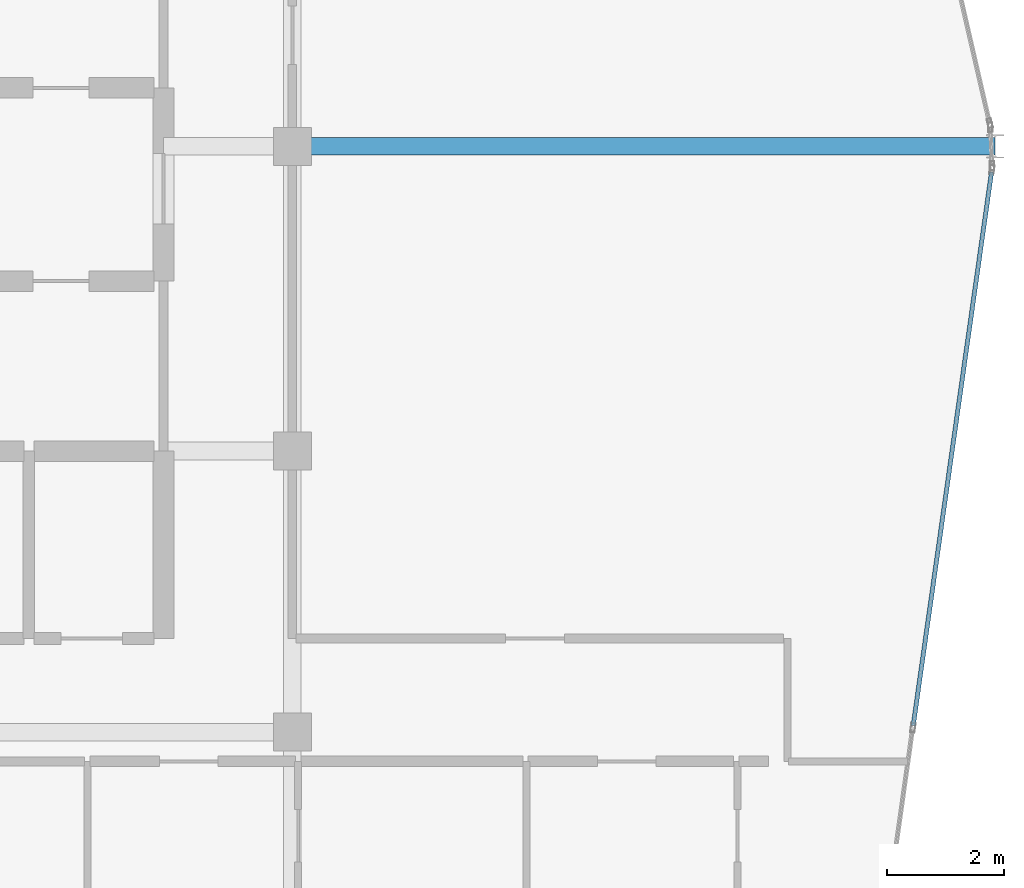
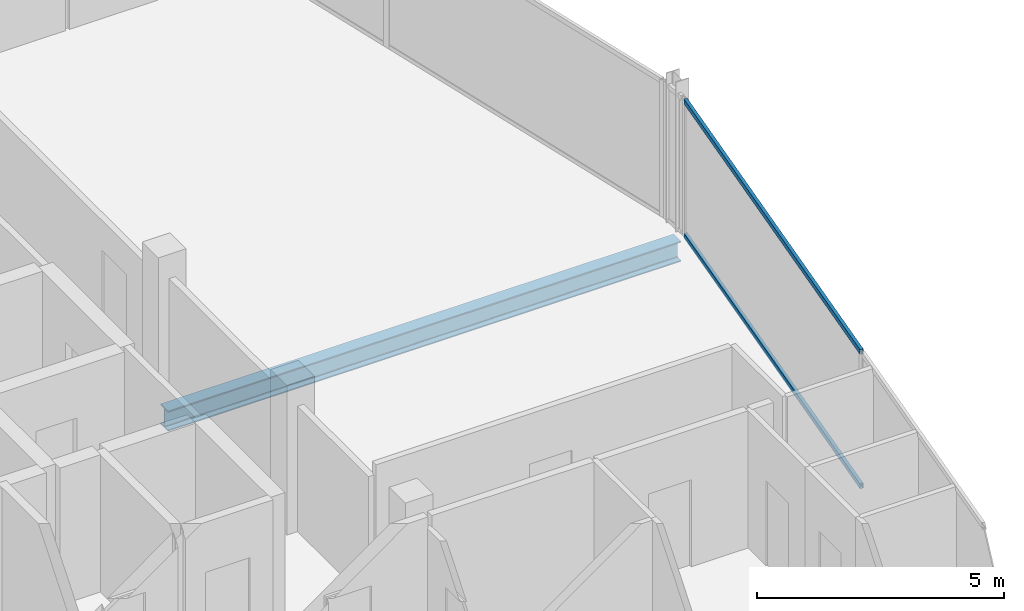
# One storey, part 13 of 27: 2 members, 1 beam, 1 element without a shape of its own.
"""IFC4 building model written with IfcOpenShell, lengths in metres."""

from ifc_helpers import new_model, si_unit, direction, frame, origin, origin_2d, place, context, subcontext, project, spatial, hollow_rectangle, i_section, extrude, material, layer, layer_set, material_profile, profile_set, type_object, element, aggregate, save


model = new_model("IFC4")

# Units and contexts
model_context = context("Model", 3, precision=1e-05, world=origin(), true_north=direction((0.0, 1.0)))
body_context = subcontext(model_context, "Body", "Model", "MODEL_VIEW")
ifc_project = project(units=[si_unit("LENGTHUNIT", "METRE"), si_unit("AREAUNIT", "SQUARE_METRE"), si_unit("VOLUMEUNIT", "CUBIC_METRE"), si_unit("PLANEANGLEUNIT", "RADIAN"), si_unit("MASSUNIT", "GRAM", prefix="KILO")], contexts=[model_context])

# Site, building, storey
site_placement = place(None, origin())
site = spatial("IfcSite", under=ifc_project, at=site_placement, CompositionType="ELEMENT")
building_placement = place(site_placement, origin())
building = spatial("IfcBuilding", under=site, at=building_placement, Name="Keshet Zoharim Tower", CompositionType="ELEMENT")
storey_placement = place(building_placement, frame((0.0, 0.0, 284.300048828125)))
storey = spatial("IfcBuildingStorey", under=building, at=storey_placement, Name="L71", CompositionType="ELEMENT", Elevation=284.300048828125)

# Beam
ifc_material_1 = material(Name="Steel S355", Category="steel")
ifc_material_profile_1 = material_profile(ifc_material_1, i_section(OverallWidth=0.300048828125, OverallDepth=0.5, WebThickness=0.014404296875, FlangeThickness=0.028076171875, FilletRadius=0.027099609375, at=origin_2d()), Name="HEB500")
ifc_profile_set_1 = profile_set([ifc_material_profile_1], Name="Steel S355")
beam_type = type_object("IfcBeamType", Name="BM-MED-HB500", PredefinedType="BEAM", material=ifc_profile_set_1)
beam_placement = place(storey_placement, frame((33.0, 27.89990234375, -0.56005859375), z_axis=(1.0, 0.0, 0.0), x_axis=(0.0, 1.0, 0.0)))
element("IfcBeam", 1, at=beam_placement, inside=storey, type_object=beam_type, Name="L71 Primary Girder X-007", PredefinedType="BEAM", context=body_context, shape_type="SweptSolid", body=[
    extrude(i_section(OverallWidth=0.300048828125, OverallDepth=0.5, WebThickness=0.014404296875, FlangeThickness=0.028076171875, FilletRadius=0.027099609375, at=origin_2d()), origin(), (0.0, 0.0, 1.0), 12.0),
])

# Curtain wall, members
ifc_material_2 = material(Name="Aluminium 6063-T6", Category="aluminium")
ifc_layer = layer(ifc_material_2, 0.260009765625)
ifc_layer_set = layer_set([ifc_layer], Name="Aluminium 6063-T6")
curtain_wall_type = type_object("IfcCurtainWallType", Name="CW-SYS-06", PredefinedType="NOTDEFINED", material=ifc_layer_set)
curtain_wall_placement = place(storey_placement, origin())
curtain_wall = element("IfcCurtainWall", 2, at=curtain_wall_placement, inside=storey, type_object=curtain_wall_type, Name="L71 Unitised Curtain Wall 11", PredefinedType="NOTDEFINED")
ifc_material_profile_2 = material_profile(ifc_material_2, hollow_rectangle(XDim=0.074951171875, YDim=0.1201171875, WallThickness=0.00390625, at=origin_2d()), Name="TRN-75x120")
ifc_profile_set_2 = profile_set([ifc_material_profile_2], Name="Aluminium 6063-T6")
member_type = type_object("IfcMemberType", Name="CWT-T12", PredefinedType="USERDEFINED", material=ifc_profile_set_2)
member_1_placement = place(storey_placement, frame((44.938232421875, 27.462646484375, 0.034912109375), z_axis=(-0.140150169695, -0.990130259074, 0.0), x_axis=(0.990130259074, -0.140150169695, 0.0)))
member_1 = element("IfcMember", 3, at=member_1_placement, type_object=member_type, Name="CW-06 transom 1.1", ObjectType="TRANSOM", PredefinedType="USERDEFINED", context=body_context, shape_type="SweptSolid", body=[
    extrude(hollow_rectangle(XDim=0.074951171875, YDim=0.1201171875, WallThickness=0.00390625, at=origin_2d()), origin(), (0.0, 0.0, 1.0), 9.546142578125),
])
member_2_placement = place(storey_placement, frame((44.938232421875, 27.462646484375, 3.35498046875), z_axis=(-0.140150169695, -0.990130259074, 0.0), x_axis=(0.990130259074, -0.140150169695, 0.0)))
member_2 = element("IfcMember", 4, at=member_2_placement, type_object=member_type, Name="CW-06 transom 1.2", ObjectType="TRANSOM", PredefinedType="USERDEFINED", context=body_context, shape_type="SweptSolid", body=[
    extrude(hollow_rectangle(XDim=0.074951171875, YDim=0.1201171875, WallThickness=0.00390625, at=origin_2d()), origin(), (0.0, 0.0, 1.0), 9.546142578125),
])
aggregate(curtain_wall, [member_1, member_2])

save(model, "model.ifc")
